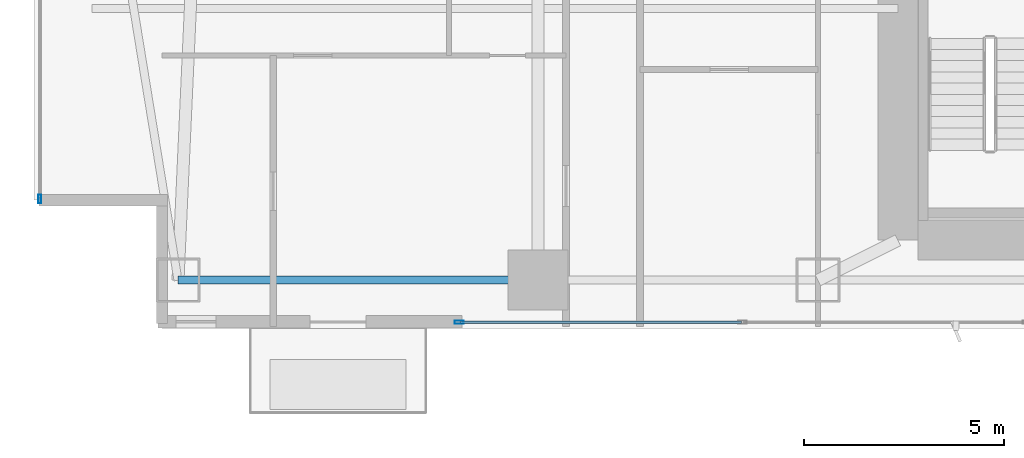
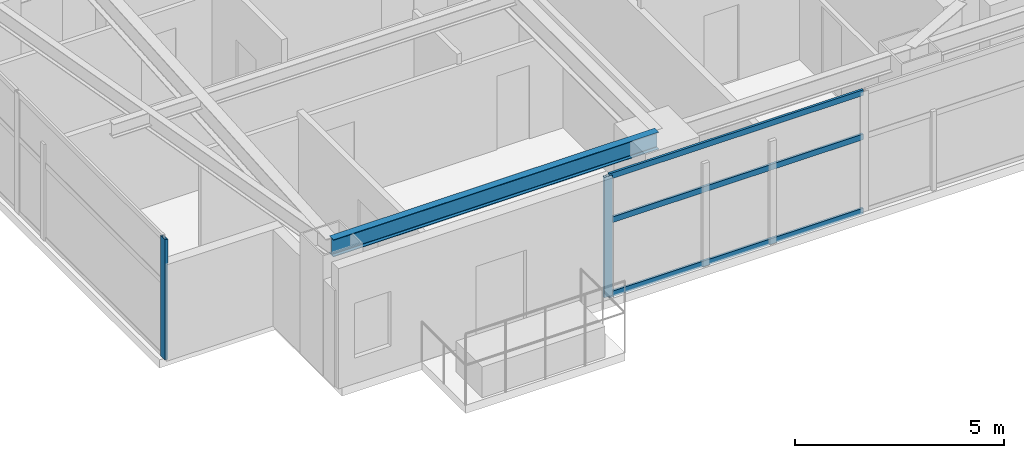
# One storey, part 2 of 28: 5 members, 1 beam, 2 elements without a shape of their own.
"""IFC4 building model written with IfcOpenShell, lengths in metres."""

from ifc_helpers import new_model, si_unit, direction, frame, origin, origin_2d, place, context, subcontext, project, spatial, hollow_rectangle, i_section, extrude, material, layer, layer_set, material_profile, profile_set, type_object, element, aggregate, save


model = new_model("IFC4")

# Units and contexts
model_context = context("Model", 3, precision=1e-05, world=origin(), true_north=direction((0.0, 1.0)))
body_context = subcontext(model_context, "Body", "Model", "MODEL_VIEW")
ifc_project = project(units=[si_unit("LENGTHUNIT", "METRE"), si_unit("AREAUNIT", "SQUARE_METRE"), si_unit("VOLUMEUNIT", "CUBIC_METRE"), si_unit("PLANEANGLEUNIT", "RADIAN"), si_unit("MASSUNIT", "GRAM", prefix="KILO")], contexts=[model_context])

# Site, building, storey
site_placement = place(None, origin())
site = spatial("IfcSite", under=ifc_project, at=site_placement, CompositionType="ELEMENT")
building_placement = place(site_placement, origin())
building = spatial("IfcBuilding", under=site, at=building_placement, Name="Calvorn Quay Hotel", CompositionType="ELEMENT")
storey_placement = place(building_placement, frame((0.0, 0.0, 42.199951171875)))
storey = spatial("IfcBuildingStorey", under=building, at=storey_placement, Name="L09", CompositionType="ELEMENT", Elevation=42.199951171875)

# Beam
ifc_material_1 = material(Name="Steel Q355B", Category="steel")
ifc_material_profile_1 = material_profile(ifc_material_1, i_section(OverallWidth=0.199951171875, OverallDepth=0.5, WebThickness=0.010009765625, FlangeThickness=0.01611328125, FilletRadius=0.01611328125, at=origin_2d()), Name="HN500x200x10x16")
ifc_profile_set_1 = profile_set([ifc_material_profile_1], Name="Steel Q355B")
beam_type = type_object("IfcBeamType", Name="BM-SPANDREL-Z1", PredefinedType="SPANDREL", material=ifc_profile_set_1)
beam_placement = place(storey_placement, frame((3.60009765625, 3.60009765625, 3.27001953125), z_axis=(1.0, 0.0, 0.0), x_axis=(0.0, 1.0, 0.0)))
element("IfcBeam", 1, at=beam_placement, inside=storey, type_object=beam_type, Name="Beam BSP-L09-S1", PredefinedType="SPANDREL", context=body_context, shape_type="SweptSolid", body=[
    extrude(i_section(OverallWidth=0.199951171875, OverallDepth=0.5, WebThickness=0.010009765625, FlangeThickness=0.01611328125, FilletRadius=0.01611328125, at=origin_2d()), origin(), (0.0, 0.0, 1.0), 9.0),
])

# Curtain wall, member
ifc_material_2 = material(Name="Pale Anodised Aluminium and Low-E Glass", Category="aluminium")
ifc_layer = layer(ifc_material_2, 0.219970703125)
ifc_layer_set = layer_set([ifc_layer], Name="CW-SYS-Z1")
curtain_wall_type = type_object("IfcCurtainWallType", Name="CW-SYS-Z1", PredefinedType="NOTDEFINED", material=ifc_layer_set)
curtain_wall_1_placement = place(storey_placement, origin())
curtain_wall_1 = element("IfcCurtainWall", 2, at=curtain_wall_1_placement, inside=storey, type_object=curtain_wall_type, Name="Tower West Curtain Wall (L09)", PredefinedType="NOTDEFINED")
ifc_material_3 = material(Name="Pale Anodised Aluminium 6063-T6", Category="aluminium")
ifc_material_profile_2 = material_profile(ifc_material_3, hollow_rectangle(XDim=0.074951171875, YDim=0.219970703125, WallThickness=0.00439453125, at=origin_2d()), Name="ALU-M220x75x4.5")
ifc_profile_set_2 = profile_set([ifc_material_profile_2], Name="Pale Anodised Aluminium 6063-T6")
member_type_1 = type_object("IfcMemberType", Name="CW-SYS-Z1-MUL", PredefinedType="MULLION", material=ifc_profile_set_2)
member_1_placement = place(storey_placement, frame((0.14990234375, 5.6298828125, 0.0), z_axis=(0.0, 0.0, 1.0), x_axis=(-1.0, 0.0, 0.0)))
member_1 = element("IfcMember", 3, at=member_1_placement, type_object=member_type_1, Name="CW-L09-W mullion 1", PredefinedType="MULLION", context=body_context, shape_type="SweptSolid", body=[
    extrude(hollow_rectangle(XDim=0.074951171875, YDim=0.219970703125, WallThickness=0.00439453125, at=origin_2d()), origin(), (0.0, 0.0, 1.0), 3.52001953125),
])
aggregate(curtain_wall_1, [member_1])

# Curtain wall, members
curtain_wall_2_placement = place(storey_placement, origin())
curtain_wall_2 = element("IfcCurtainWall", 4, at=curtain_wall_2_placement, inside=storey, type_object=curtain_wall_type, Name="Tower South Waterfront Curtain Wall (L09)", PredefinedType="NOTDEFINED")
member_2_placement = place(storey_placement, frame((10.6298828125, 2.550048828125, 0.0), z_axis=(0.0, 0.0, 1.0), x_axis=(0.0, 1.0, 0.0)))
member_2 = element("IfcMember", 5, at=member_2_placement, type_object=member_type_1, Name="CW-L09-S mullion 1", PredefinedType="MULLION", context=body_context, shape_type="SweptSolid", body=[
    extrude(hollow_rectangle(XDim=0.074951171875, YDim=0.219970703125, WallThickness=0.00439453125, at=origin_2d()), origin(), (0.0, 0.0, 1.0), 3.52001953125),
])
ifc_material_4 = material(Name="Pale Anodised Aluminium 6063-T6", Category="aluminium")
ifc_material_profile_3 = material_profile(ifc_material_4, hollow_rectangle(XDim=0.06494140625, YDim=0.1650390625, WallThickness=0.00341796875, at=origin_2d()), Name="ALU-T165x65x3.5")
ifc_profile_set_3 = profile_set([ifc_material_profile_3], Name="Pale Anodised Aluminium 6063-T6")
member_type_2 = type_object("IfcMemberType", Name="CW-SYS-Z1-TRN", PredefinedType="USERDEFINED", material=ifc_profile_set_3)
member_3_placement = place(storey_placement, frame((10.659912109375, 2.550048828125, 0.030029296875), z_axis=(1.0, 0.0, 0.0), x_axis=(0.0, 1.0, 0.0)))
member_3 = element("IfcMember", 6, at=member_3_placement, type_object=member_type_2, Name="CW-L09-S transom 1.1", ObjectType="TRANSOM", PredefinedType="USERDEFINED", context=body_context, shape_type="SweptSolid", body=[
    extrude(hollow_rectangle(XDim=0.06494140625, YDim=0.1650390625, WallThickness=0.00341796875, at=origin_2d()), origin(), (0.0, 0.0, 1.0), 7.0244140625),
])
member_4_placement = place(storey_placement, frame((10.659912109375, 2.550048828125, 2.199951171875), z_axis=(1.0, 0.0, 0.0), x_axis=(0.0, 1.0, 0.0)))
member_4 = element("IfcMember", 7, at=member_4_placement, type_object=member_type_2, Name="CW-L09-S transom 1.2", ObjectType="TRANSOM", PredefinedType="USERDEFINED", context=body_context, shape_type="SweptSolid", body=[
    extrude(hollow_rectangle(XDim=0.06494140625, YDim=0.1650390625, WallThickness=0.00341796875, at=origin_2d()), origin(), (0.0, 0.0, 1.0), 7.0244140625),
])
member_5_placement = place(storey_placement, frame((10.659912109375, 2.550048828125, 3.489990234375), z_axis=(1.0, 0.0, 0.0), x_axis=(0.0, 1.0, 0.0)))
member_5 = element("IfcMember", 8, at=member_5_placement, type_object=member_type_2, Name="CW-L09-S transom 1.3", ObjectType="TRANSOM", PredefinedType="USERDEFINED", context=body_context, shape_type="SweptSolid", body=[
    extrude(hollow_rectangle(XDim=0.06494140625, YDim=0.1650390625, WallThickness=0.00341796875, at=origin_2d()), origin(), (0.0, 0.0, 1.0), 7.0244140625),
])
aggregate(curtain_wall_2, [member_2, member_3, member_4, member_5])

save(model, "model.ifc")
